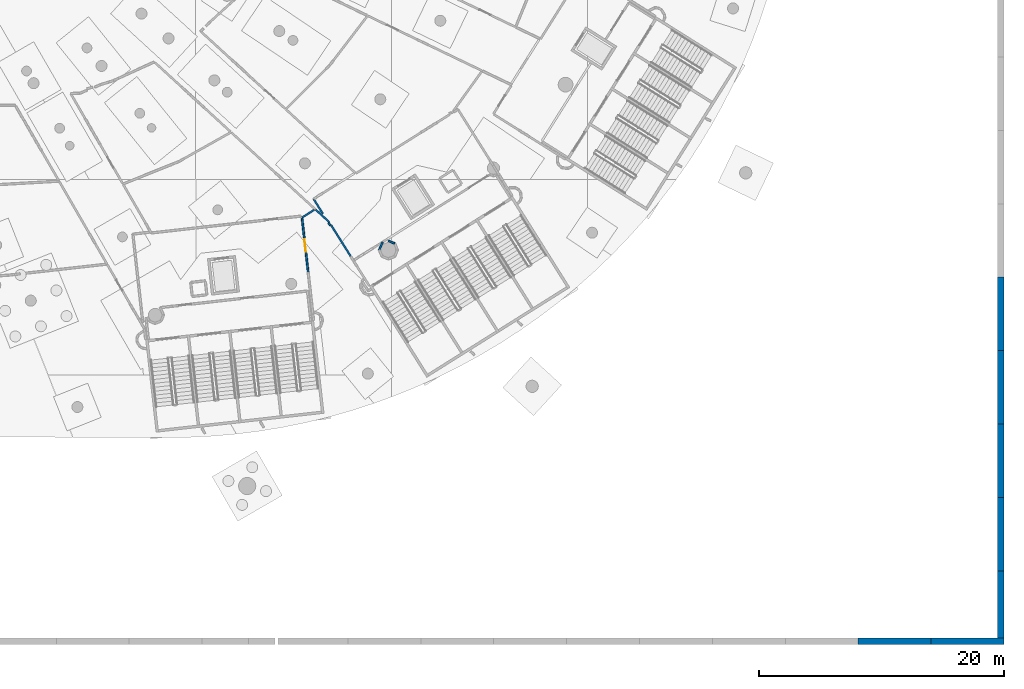
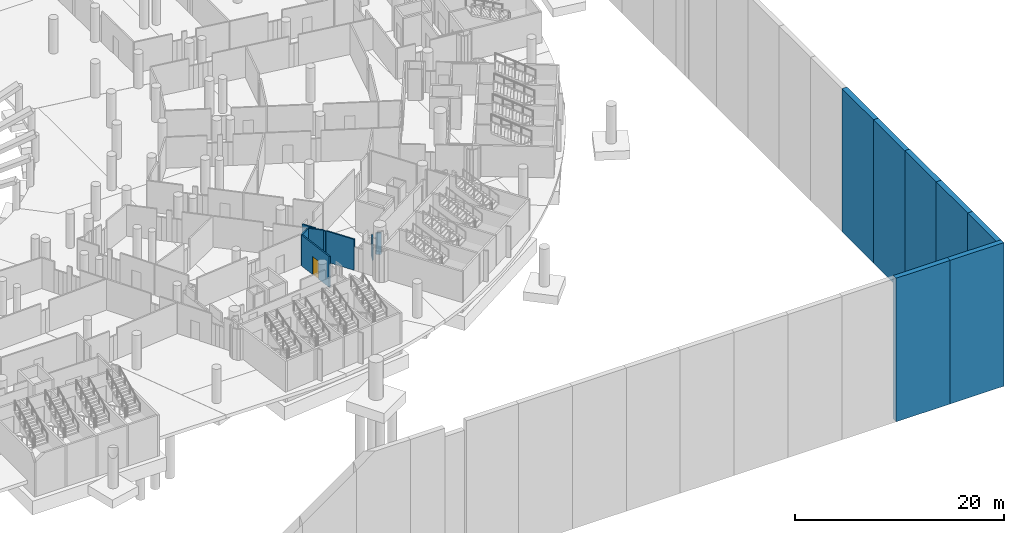
# One storey, part 56 of 142: 15 walls, 1 door, 1 opening.
"""IFC4 building model written with IfcOpenShell, lengths in metres."""

import ifcopenshell
import ifcopenshell.guid

model = None  # the IFC model being written
_history = None  # IfcOwnerHistory: only IFC2X3 demands one
_inside = {}  # id of a spatial element -> (the spatial element, [elements in it])
_under = {}  # id of a project, library or spatial element -> (it, [spatial elements below it])
_declared = {}  # id of a project -> (the project, [libraries it declares])
_typed = {}  # id of a type object -> (the type object, [elements of that type])
_made_of = {}  # id of a material, layer set ... -> (it, [elements and type objects made of it])


def new_model(schema):
    """Start an empty IFC model of exactly this schema.

    Asked for "IFC4X3", IfcOpenShell would pick the latest addendum, in which some entities
    have other attributes; the version numbers below select the first issue.
    IFC2X3 requires an IfcOwnerHistory on every rooted entity: one is made here for all.
    """
    global model, _history
    if schema == "IFC4X3":
        model = ifcopenshell.file(schema_version=(4, 3, 0, 0))
    else:
        model = ifcopenshell.file(schema=schema)
    _inside.clear()
    _under.clear()
    _declared.clear()
    _typed.clear()
    _made_of.clear()
    _history = None
    if model.schema == "IFC2X3":
        org = make("IfcOrganization", Name="unknown")
        user = make(
            "IfcPersonAndOrganization",
            ThePerson=make("IfcPerson", FamilyName="unknown"),
            TheOrganization=org,
        )
        app = make(
            "IfcApplication",
            ApplicationDeveloper=org,
            Version="unknown",
            ApplicationFullName="unknown",
            ApplicationIdentifier="unknown",
        )
        _history = make(
            "IfcOwnerHistory",
            OwningUser=user,
            OwningApplication=app,
            ChangeAction="ADDED",
            CreationDate=0,
        )
    return model


def make(cls, **values):
    """One entity of the class cls with the attributes given. An attribute that is None is left unset."""
    return model.create_entity(
        cls, **{name: value for name, value in values.items() if value is not None}
    )


def rooted(cls, **values):
    """An entity with a GlobalId (a new one), such as an element, a storey or a relation."""
    return make(cls, GlobalId=ifcopenshell.guid.new(), OwnerHistory=_history, **values)


def si_unit(unit_type, name, prefix=None):
    """IfcSIUnit, for example si_unit("LENGTHUNIT", "METRE", prefix="MILLI")."""
    return make("IfcSIUnit", UnitType=unit_type, Prefix=prefix, Name=name)


def assignment(units):
    """IfcUnitAssignment: the units of a project."""
    return None if units is None else make("IfcUnitAssignment", Units=units)


def point(xyz):
    """IfcCartesianPoint."""
    return None if xyz is None else make("IfcCartesianPoint", Coordinates=xyz)


def direction(xyz):
    """IfcDirection."""
    return None if xyz is None else make("IfcDirection", DirectionRatios=xyz)


def frame(location, z_axis=None, x_axis=None):
    """IfcAxis2Placement3D, a coordinate frame: its origin and axes. An axis left out is left unset."""
    return make(
        "IfcAxis2Placement3D",
        Location=point(location),
        Axis=direction(z_axis),
        RefDirection=direction(x_axis),
    )


def frame_2d(location, x_axis=None):
    """IfcAxis2Placement2D, a coordinate frame in the plane: its origin and x axis."""
    return make(
        "IfcAxis2Placement2D", Location=point(location), RefDirection=direction(x_axis)
    )


def origin():
    """The frame at (0, 0, 0) with its axes left unset."""
    return frame((0.0, 0.0, 0.0))


def place(relative_to, where):
    """IfcLocalPlacement: puts the frame where relative to a parent placement (None: the world)."""
    return make(
        "IfcLocalPlacement", PlacementRelTo=relative_to, RelativePlacement=where
    )


def context(
    kind, dimensions, precision=None, world=None, true_north=None, identifier=None
):
    """IfcGeometricRepresentationContext, for example the 3D "Model" context."""
    return make(
        "IfcGeometricRepresentationContext",
        ContextIdentifier=identifier,
        ContextType=kind,
        CoordinateSpaceDimension=dimensions,
        Precision=precision,
        WorldCoordinateSystem=world,
        TrueNorth=true_north,
    )


def subcontext(parent, identifier, kind, view, scale=None):
    """IfcGeometricRepresentationSubContext, for example "Body" below "Model"."""
    return make(
        "IfcGeometricRepresentationSubContext",
        ContextIdentifier=identifier,
        ContextType=kind,
        ParentContext=parent,
        TargetScale=scale,
        TargetView=view,
    )


def project(units=None, contexts=None):
    """IfcProject with its units and contexts."""
    return rooted(
        "IfcProject",
        Name="project",
        RepresentationContexts=contexts,
        UnitsInContext=assignment(units),
    )


def spatial(cls, under=None, at=None, **own):
    """A site, building, storey or space (cls), placed at a placement, below another one or the project."""
    s = rooted(cls, ObjectPlacement=at, **own)
    if under is not None:
        _under.setdefault(under.id(), (under, []))[1].append(s)
    return s


def profile(cls, at=None, kind="AREA", **sizes):
    """A parametric profile (cls). Its sizes go by their IFC names, for example OverallWidth=200.0."""
    return make(cls, ProfileType=kind, Position=at, **sizes)


def rectangle(**sizes):
    """IfcRectangleProfileDef."""
    return profile("IfcRectangleProfileDef", **sizes)


def extrude(swept, where, along, depth):
    """IfcExtrudedAreaSolid: the profile swept, set in the frame where, extruded along a direction by depth."""
    return make(
        "IfcExtrudedAreaSolid",
        SweptArea=swept,
        Position=where,
        ExtrudedDirection=direction(along),
        Depth=depth,
    )


def shape(context_of_items, identifier, shape_type, items):
    """IfcShapeRepresentation: the items that make up one representation, for example the "Body"."""
    return make(
        "IfcShapeRepresentation",
        ContextOfItems=context_of_items,
        RepresentationIdentifier=identifier,
        RepresentationType=shape_type,
        Items=items,
    )


def material(Name=None, Category=None):
    """IfcMaterial."""
    return make("IfcMaterial", Name=Name, Category=Category)


def layer(
    of_material, thickness, ventilated=None, Name=None, Category=None, Priority=None
):
    """IfcMaterialLayer: one layer of a wall or slab, of a material (None: an air gap)."""
    return make(
        "IfcMaterialLayer",
        Material=of_material,
        LayerThickness=thickness,
        IsVentilated=ventilated,
        Name=Name,
        Category=Category,
        Priority=Priority,
    )


def layer_set(layers, Name=None):
    """IfcMaterialLayerSet."""
    return make("IfcMaterialLayerSet", MaterialLayers=layers, LayerSetName=Name)


def made_of(thing, what):
    """Note that an element or type object is made of a material, layer set ...; save() writes the relation."""
    if what is not None:
        _made_of.setdefault(what.id(), (what, []))[1].append(thing)
    return thing


def type_object(cls, material=None, **own):
    """A type object (cls), such as IfcWallType, which elements share."""
    return made_of(rooted(cls, **own), material)


def element(
    cls,
    number,
    at=None,
    inside=None,
    cuts=None,
    type_object=None,
    material=None,
    context=None,
    identifier="Body",
    shape_type=None,
    held_by="IfcProductDefinitionShape",
    body=None,
    shapes=None,
    **own,
):
    """One element of the class cls, such as IfcWall. Its Tag is "e" and its number.

    at: its placement. inside: the storey or other place that contains it. cuts: it is an
    opening in that element (IfcRelVoidsElement). A single representation is given by context,
    identifier, shape_type and body (its items); several are given by shapes. held_by: the class
    of the entity that holds the representations. save() writes the other relations.
    """
    e = rooted(cls, Tag="e%d" % number, ObjectPlacement=at, **own)
    if body is not None:
        shapes = [shape(context, identifier, shape_type, body)]
    if shapes is not None:
        e.Representation = make(held_by, Representations=shapes)
    if inside is not None:
        _inside.setdefault(inside.id(), (inside, []))[1].append(e)
    if cuts is not None:
        rooted(
            "IfcRelVoidsElement", RelatingBuildingElement=cuts, RelatedOpeningElement=e
        )
    if type_object is not None:
        _typed.setdefault(type_object.id(), (type_object, []))[1].append(e)
    return made_of(e, material)


def fill(opening, filler):
    """IfcRelFillsElement: the door or window that sits in an opening."""
    return rooted(
        "IfcRelFillsElement",
        RelatingOpeningElement=opening,
        RelatedBuildingElement=filler,
    )


def aggregate(whole, parts):
    """IfcRelAggregates: a whole, such as a stair, and the parts it consists of."""
    return rooted("IfcRelAggregates", RelatingObject=whole, RelatedObjects=parts)


def save(model, path):
    """Write the relations noted so far, then the file.

    IfcRelAggregates (storeys below a building ...), IfcRelContainedInSpatialStructure (elements
    in a storey), IfcRelDefinesByType, IfcRelAssociatesMaterial and IfcRelDeclares: one each for
    every whole, place, type object, material and project.
    """
    for whole, parts in _under.values():
        aggregate(whole, parts)
    for where, things in _inside.values():
        rooted(
            "IfcRelContainedInSpatialStructure",
            RelatedElements=things,
            RelatingStructure=where,
        )
    for kind, things in _typed.values():
        rooted("IfcRelDefinesByType", RelatedObjects=things, RelatingType=kind)
    for what, things in _made_of.values():
        rooted("IfcRelAssociatesMaterial", RelatedObjects=things, RelatingMaterial=what)
    for by, libraries in _declared.values():
        rooted("IfcRelDeclares", RelatingContext=by, RelatedDefinitions=libraries)
    model.write(path)


model = new_model("IFC4")

# Units and contexts
model_context = context("Model", 3, precision=1e-05, world=origin(), true_north=direction((0.0, 1.0)))
body_context = subcontext(model_context, "Body", "Model", "MODEL_VIEW")
ifc_project = project(units=[si_unit("LENGTHUNIT", "METRE"), si_unit("AREAUNIT", "SQUARE_METRE"), si_unit("VOLUMEUNIT", "CUBIC_METRE"), si_unit("PLANEANGLEUNIT", "RADIAN"), si_unit("MASSUNIT", "GRAM", prefix="KILO")], contexts=[model_context])

# Site, building, storey
site_placement = place(None, origin())
site = spatial("IfcSite", under=ifc_project, at=site_placement, CompositionType="ELEMENT")
building_placement = place(site_placement, origin())
building = spatial("IfcBuilding", under=site, at=building_placement, Name="Meseta Stadium", CompositionType="ELEMENT")
storey_placement = place(building_placement, frame((0.0, 0.0, -4.0)))
storey = spatial("IfcBuildingStorey", under=building, at=storey_placement, Name="B1", CompositionType="ELEMENT", Elevation=-4.0)

# Wall
ifc_material_1 = material(Name="Masonry blockwork", Category="masonry")
ifc_layer_1 = layer(ifc_material_1, 0.14990234375)
ifc_layer_set_1 = layer_set([ifc_layer_1], Name="Partition 150")
wall_type_1 = type_object("IfcWallType", Name="Partition 150", PredefinedType="PARTITIONING", material=ifc_layer_set_1)
wall_1_placement = place(storey_placement, frame((57.687744140625, -82.4873046875, 0.0), z_axis=(0.0, 0.0, 1.0), x_axis=(-0.844198175742, -0.536031193192, 0.0)))
element("IfcWall", 1, at=wall_1_placement, inside=storey, type_object=wall_type_1, Name="Partition B1 B1-cell25-2-0", PredefinedType="PARTITIONING", context=body_context, shape_type="SweptSolid", body=[
    extrude(rectangle(XDim=1.19775390625, YDim=0.14990234375, at=frame_2d((0.598876953125, 0.0))), origin(), (0.0, 0.0, 1.0), 3.60009765625),
])

# Wall, opening, door
wall_2_placement = place(storey_placement, frame((57.1796875, -87.5947265625, 0.0), z_axis=(0.0, 0.0, 1.0), x_axis=(-0.112023313707, 0.993705578723, 0.0)))
wall_2 = element("IfcWall", 2, at=wall_2_placement, inside=storey, type_object=wall_type_1, Name="Partition B1 B1-cell25-3-0", PredefinedType="PARTITIONING", context=body_context, shape_type="SweptSolid", body=[
    extrude(rectangle(XDim=4.44384765625, YDim=0.14990234375, at=frame_2d((2.221923828125, 0.0))), origin(), (0.0, 0.0, 1.0), 3.60009765625),
])
opening_placement = place(wall_2_placement, frame((1.699951171875, 0.0, 0.0)))
opening = element("IfcOpeningElement", 3, at=opening_placement, cuts=wall_2, Name="Opening D506", PredefinedType="OPENING", context=body_context, shape_type="SweptSolid", body=[
    extrude(rectangle(XDim=1.0, YDim=2.10009765625, at=frame_2d((0.5, 1.050048828125))), frame((0.0, 0.0849609375, 0.0), z_axis=(0.0, -1.0, 0.0), x_axis=(1.0, 0.0, 0.0)), (0.0, 0.0, 1.0), 0.169921875),
])
ifc_material_2 = material(Name="Steel", Category="steel")
door_type = type_object("IfcDoorType", Name="Fire door 1000x2100 EI2 60", OperationType="NOTDEFINED", PredefinedType="DOOR", material=ifc_material_2)
door_placement = place(opening_placement, origin())
door = element("IfcDoor", 4, at=door_placement, inside=storey, type_object=door_type, Name="Door D506", OperationType="SINGLE_SWING_RIGHT", OverallHeight=2.10009765625, OverallWidth=1.0, PredefinedType="DOOR", context=body_context, shape_type="SweptSolid", body=[
    extrude(rectangle(XDim=1.0, YDim=2.10009765625, at=frame_2d((0.5, 1.050048828125))), frame((0.0, 0.02490234375, 0.0), z_axis=(0.0, -1.0, 0.0), x_axis=(1.0, 0.0, 0.0)), (0.0, 0.0, 1.0), 0.050048828125),
])
fill(opening, door)

# Walls
wall_3_placement = place(storey_placement, frame((57.790283203125, -82.4794921875, 0.0), z_axis=(0.0, 0.0, 1.0), x_axis=(0.737580634044, -0.675259067531, 0.0)))
element("IfcWall", 5, at=wall_3_placement, inside=storey, type_object=wall_type_1, Name="Partition B1 B1-cell25-3-0", PredefinedType="PARTITIONING", context=body_context, shape_type="SweptSolid", body=[
    extrude(rectangle(XDim=1.496337890625, YDim=0.14990234375, at=frame_2d((0.748046875, 0.0))), origin(), (0.0, 0.0, 1.0), 3.60009765625),
])
wall_4_placement = place(storey_placement, frame((59.04443359375, -83.7294921875, 0.0), z_axis=(0.0, 0.0, 1.0), x_axis=(0.532093859438, -0.846685375301, 0.0)))
element("IfcWall", 6, at=wall_4_placement, inside=storey, type_object=wall_type_1, Name="Partition B1 B1-cell25-3-0", PredefinedType="PARTITIONING", context=body_context, shape_type="SweptSolid", body=[
    extrude(rectangle(XDim=3.025146484375, YDim=0.14990234375, at=frame_2d((1.5126953125, 0.0))), origin(), (0.0, 0.0, 1.0), 3.60009765625),
])
wall_5_placement = place(storey_placement, frame((63.7314453125, -85.030517578125, 0.0), z_axis=(0.0, 0.0, 1.0), x_axis=(0.923738395549, -0.383023989572, 0.0)))
element("IfcWall", 7, at=wall_5_placement, inside=storey, type_object=wall_type_1, Name="Stair vestibule wall B1 core 27", PredefinedType="PARTITIONING", context=body_context, shape_type="SweptSolid", body=[
    extrude(rectangle(XDim=0.566650390625, YDim=0.14990234375, at=frame_2d((0.283203125, 0.0))), origin(), (0.0, 0.0, 1.0), 2.5),
])
wall_6_placement = place(storey_placement, frame((62.99072265625, -85.77099609375, 0.0), z_axis=(0.0, 0.0, 1.0), x_axis=(0.3824964288, 0.923956969753, 0.0)))
element("IfcWall", 8, at=wall_6_placement, inside=storey, type_object=wall_type_1, Name="Stair vestibule wall B1 core 27", PredefinedType="PARTITIONING", context=body_context, shape_type="SweptSolid", body=[
    extrude(rectangle(XDim=0.69580078125, YDim=0.14990234375, at=frame_2d((0.347900390625, 0.0))), origin(), (0.0, 0.0, 1.0), 2.5),
])
wall_7_placement = place(storey_placement, frame((57.622802734375, -81.607666015625, 0.0), z_axis=(0.0, 0.0, 1.0), x_axis=(0.532022375577, -0.846730294654, 0.0)))
element("IfcWall", 9, at=wall_7_placement, inside=storey, type_object=wall_type_1, Name="Stair vestibule wall B1 core 27", PredefinedType="PARTITIONING", context=body_context, shape_type="SweptSolid", body=[
    extrude(rectangle(XDim=1.44140625, YDim=0.14990234375, at=frame_2d((0.720703125, 0.0))), origin(), (0.0, 0.0, 1.0), 3.60009765625),
])
wall_8_placement = place(storey_placement, frame((58.841796875, -83.547607421875, 0.0), z_axis=(0.0, 0.0, 1.0), x_axis=(0.531218281039, -0.847234995671, 0.0)))
element("IfcWall", 10, at=wall_8_placement, inside=storey, type_object=wall_type_1, Name="Stair vestibule wall B1 core 27", PredefinedType="PARTITIONING", context=body_context, shape_type="SweptSolid", body=[
    extrude(rectangle(XDim=0.251953125, YDim=0.14990234375, at=frame_2d((0.1259765625, 0.0))), origin(), (0.0, 0.0, 1.0), 3.60009765625),
])
ifc_material_3 = material(Name="Concrete C30/37", Category="concrete")
ifc_layer_2 = layer(ifc_material_3, 0.550048828125)
ifc_layer_set_2 = layer_set([ifc_layer_2], Name="Site retaining wall 550")
wall_type_2 = type_object("IfcWallType", Name="Site retaining wall 550", PredefinedType="SOLIDWALL", material=ifc_layer_set_2)
for number, where, z_axis, x_axis, name in (
    (11, (102.0947265625, -117.72509765625, -13.0), (0.0, 0.0, 1.0), (1.0, 0.0, 0.0), "Site retaining wall 48"),
    (12, (108.047119140625, -117.72509765625, -13.0), (0.0, 0.0, 1.0), (1.0, 0.0, 0.0), "Site retaining wall 49"),
):
    element("IfcWall", number, at=place(storey_placement, frame(where, z_axis=z_axis, x_axis=x_axis)), inside=storey, type_object=wall_type_2, Name=name, PredefinedType="SOLIDWALL", context=body_context, shape_type="SweptSolid", body=[
        extrude(rectangle(XDim=5.952392578125, YDim=0.550048828125, at=frame_2d((2.97607421875, 0.0))), origin(), (0.0, 0.0, 1.0), 16.75),
    ])
for number, where, z_axis, x_axis, name in (
    (13, (113.72509765625, -117.99951171875, -13.0), (0.0, 0.0, 1.0), (0.0, 1.0, 0.0), "Site retaining wall 50"),
    (14, (113.72509765625, -111.99951171875, -13.0), (0.0, 0.0, 1.0), (0.0, 1.0, 0.0), "Site retaining wall 51"),
    (15, (113.72509765625, -105.99951171875, -13.0), (0.0, 0.0, 1.0), (0.0, 1.0, 0.0), "Site retaining wall 52"),
):
    element("IfcWall", number, at=place(storey_placement, frame(where, z_axis=z_axis, x_axis=x_axis)), inside=storey, type_object=wall_type_2, Name=name, PredefinedType="SOLIDWALL", context=body_context, shape_type="SweptSolid", body=[
        extrude(rectangle(XDim=6.0, YDim=0.550048828125, at=frame_2d((3.0, 0.0))), origin(), (0.0, 0.0, 1.0), 16.75),
    ])
for number, where, z_axis, x_axis, name in (
    (16, (113.72509765625, -99.99951171875, -13.0), (0.0, 0.0, 1.0), (0.0, 1.0, 0.0), "Site retaining wall 53"),
    (17, (113.72509765625, -93.99951171875, -13.0), (0.0, 0.0, 1.0), (0.0, 1.0, 0.0), "Site retaining wall 54"),
):
    element("IfcWall", number, at=place(storey_placement, frame(where, z_axis=z_axis, x_axis=x_axis)), inside=storey, type_object=wall_type_2, Name=name, PredefinedType="SOLIDWALL", context=body_context, shape_type="SweptSolid", body=[
        extrude(rectangle(XDim=6.0, YDim=0.550048828125, at=frame_2d((3.0, 0.0))), origin(), (0.0, 0.0, 1.0), 16.699951171875),
    ])

save(model, "model.ifc")
